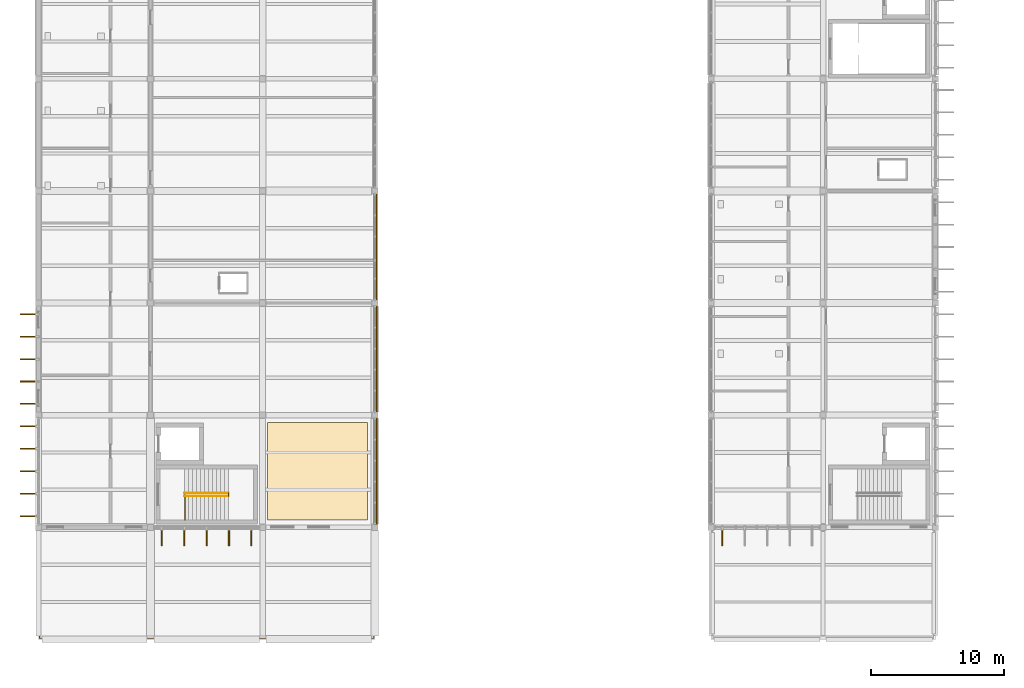
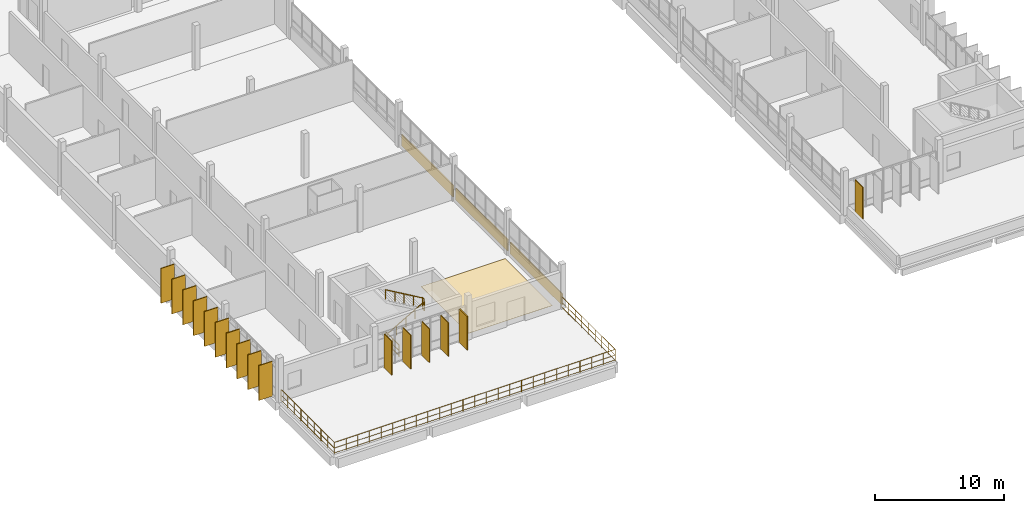
# One storey, part 58 of 62: 16 shading devices, 5 railings, 4 coverings.
"""IFC4 building model written with IfcOpenShell, lengths in metres."""

from ifc_helpers import new_model, si_unit, direction, frame, origin, origin_2d, place, context, subcontext, project, spatial, polyline, rectangle, circle, outline, extrude, material, layer, layer_set, material_profile, profile_set, type_object, element, save


model = new_model("IFC4")

# Units and contexts
model_context = context("Model", 3, precision=1e-05, world=origin(), true_north=direction((0.0, 1.0)))
body_context = subcontext(model_context, "Body", "Model", "MODEL_VIEW")
ifc_project = project(units=[si_unit("LENGTHUNIT", "METRE"), si_unit("AREAUNIT", "SQUARE_METRE"), si_unit("VOLUMEUNIT", "CUBIC_METRE"), si_unit("PLANEANGLEUNIT", "RADIAN"), si_unit("MASSUNIT", "GRAM", prefix="KILO")], contexts=[model_context])

# Site, building, storey
site_placement = place(None, origin())
site = spatial("IfcSite", under=ifc_project, at=site_placement, CompositionType="ELEMENT")
building_placement = place(site_placement, origin())
building = spatial("IfcBuilding", under=site, at=building_placement, Name="Vireocrest Preparatory School", CompositionType="ELEMENT")
storey_placement = place(building_placement, frame((0.0, 0.0, 17.39990234375)))
storey = spatial("IfcBuildingStorey", under=building, at=storey_placement, Name="L04", CompositionType="ELEMENT", Elevation=17.39990234375)

# Railings
ifc_material_1 = material(Name="Brushed stainless steel AISI 316", Category="steel")
railing_type_1 = type_object("IfcRailingType", Name="Post-and-Rail Guard Balustrade 1120", PredefinedType="BALUSTRADE", material=ifc_material_1)
railing_1_placement = place(storey_placement, frame((42.080078125, 43.719970703125, 0.0)))
element("IfcRailing", 1, at=railing_1_placement, inside=storey, type_object=railing_type_1, Name="Terrace and Deck Guard Balustrade GR1 L04 WEST_L04_TERR", PredefinedType="BALUSTRADE", context=body_context, shape_type="SweptSolid", body=[
    extrude(circle(Radius=0.02392578125, at=origin_2d()), frame((0.0, 0.0, 1.09619140625), z_axis=(0.0, -1.0, 0.0), x_axis=(1.0, 0.0, 0.0)), (0.0, 0.0, 1.0), 8.239990234375),
    extrude(circle(Radius=0.01806640625, at=origin_2d()), frame((0.0, 0.0, 0.56005859375), z_axis=(0.0, -1.0, 0.0), x_axis=(1.0, 0.0, 0.0)), (0.0, 0.0, 1.0), 8.239990234375),
    extrude(circle(Radius=0.01806640625, at=origin_2d()), frame((0.0, 0.0, 0.10009765625), z_axis=(0.0, -1.0, 0.0), x_axis=(1.0, 0.0, 0.0)), (0.0, 0.0, 1.0), 8.239990234375),
    extrude(circle(Radius=0.02392578125, at=origin_2d()), frame((0.0, -8.239990234375, 1.09619140625), z_axis=(1.0, 0.0, 0.0), x_axis=(0.0, 1.0, 0.0)), (0.0, 0.0, 1.0), 25.0400390625),
    extrude(circle(Radius=0.01806640625, at=origin_2d()), frame((0.0, -8.239990234375, 0.56005859375), z_axis=(1.0, 0.0, 0.0), x_axis=(0.0, 1.0, 0.0)), (0.0, 0.0, 1.0), 25.0400390625),
    extrude(circle(Radius=0.01806640625, at=origin_2d()), frame((0.0, -8.239990234375, 0.10009765625), z_axis=(1.0, 0.0, 0.0), x_axis=(0.0, 1.0, 0.0)), (0.0, 0.0, 1.0), 25.0400390625),
    extrude(circle(Radius=0.02392578125, at=origin_2d()), frame((25.0400390625, -8.239990234375, 1.09619140625), z_axis=(0.0, 1.0, 0.0), x_axis=(-1.0, 0.0, 0.0)), (0.0, 0.0, 1.0), 8.239990234375),
    extrude(circle(Radius=0.01806640625, at=origin_2d()), frame((25.0400390625, -8.239990234375, 0.56005859375), z_axis=(0.0, 1.0, 0.0), x_axis=(-1.0, 0.0, 0.0)), (0.0, 0.0, 1.0), 8.239990234375),
    extrude(circle(Radius=0.01806640625, at=origin_2d()), frame((25.0400390625, -8.239990234375, 0.10009765625), z_axis=(0.0, 1.0, 0.0), x_axis=(-1.0, 0.0, 0.0)), (0.0, 0.0, 1.0), 8.239990234375),
    extrude(circle(Radius=0.02099609375, at=origin_2d()), origin(), (0.0, 0.0, 1.0), 1.072021484375),
    extrude(circle(Radius=0.02099609375, at=origin_2d()), frame((0.0, -1.030029296875, 0.0)), (0.0, 0.0, 1.0), 1.072021484375),
    extrude(circle(Radius=0.02099609375, at=origin_2d()), frame((0.0, -2.06005859375, 0.0)), (0.0, 0.0, 1.0), 1.072021484375),
    extrude(circle(Radius=0.02099609375, at=origin_2d()), frame((0.0, -3.090087890625, 0.0)), (0.0, 0.0, 1.0), 1.072021484375),
    extrude(circle(Radius=0.02099609375, at=origin_2d()), frame((0.0, -4.1201171875, 0.0)), (0.0, 0.0, 1.0), 1.072021484375),
    extrude(circle(Radius=0.02099609375, at=origin_2d()), frame((0.0, -5.14990234375, 0.0)), (0.0, 0.0, 1.0), 1.072021484375),
    extrude(circle(Radius=0.02099609375, at=origin_2d()), frame((0.0, -6.179931640625, 0.0)), (0.0, 0.0, 1.0), 1.072021484375),
    extrude(circle(Radius=0.02099609375, at=origin_2d()), frame((0.0, -7.2099609375, 0.0)), (0.0, 0.0, 1.0), 1.072021484375),
    extrude(circle(Radius=0.02099609375, at=origin_2d()), frame((0.0, -8.239990234375, 0.0)), (0.0, 0.0, 1.0), 1.072021484375),
    extrude(circle(Radius=0.02099609375, at=origin_2d()), frame((1.04345703125, -8.239990234375, 0.0)), (0.0, 0.0, 1.0), 1.072021484375),
    extrude(circle(Radius=0.02099609375, at=origin_2d()), frame((2.086669921875, -8.239990234375, 0.0)), (0.0, 0.0, 1.0), 1.072021484375),
    extrude(circle(Radius=0.02099609375, at=origin_2d()), frame((3.1298828125, -8.239990234375, 0.0)), (0.0, 0.0, 1.0), 1.072021484375),
    extrude(circle(Radius=0.02099609375, at=origin_2d()), frame((4.17333984375, -8.239990234375, 0.0)), (0.0, 0.0, 1.0), 1.072021484375),
    extrude(circle(Radius=0.02099609375, at=origin_2d()), frame((5.216796875, -8.239990234375, 0.0)), (0.0, 0.0, 1.0), 1.072021484375),
    extrude(circle(Radius=0.02099609375, at=origin_2d()), frame((6.260009765625, -8.239990234375, 0.0)), (0.0, 0.0, 1.0), 1.072021484375),
    extrude(circle(Radius=0.02099609375, at=origin_2d()), frame((7.303466796875, -8.239990234375, 0.0)), (0.0, 0.0, 1.0), 1.072021484375),
    extrude(circle(Radius=0.02099609375, at=origin_2d()), frame((8.3466796875, -8.239990234375, 0.0)), (0.0, 0.0, 1.0), 1.072021484375),
    extrude(circle(Radius=0.02099609375, at=origin_2d()), frame((9.39013671875, -8.239990234375, 0.0)), (0.0, 0.0, 1.0), 1.072021484375),
    extrude(circle(Radius=0.02099609375, at=origin_2d()), frame((10.433349609375, -8.239990234375, 0.0)), (0.0, 0.0, 1.0), 1.072021484375),
    extrude(circle(Radius=0.02099609375, at=origin_2d()), frame((11.4765625, -8.239990234375, 0.0)), (0.0, 0.0, 1.0), 1.072021484375),
    extrude(circle(Radius=0.02099609375, at=origin_2d()), frame((12.52001953125, -8.239990234375, 0.0)), (0.0, 0.0, 1.0), 1.072021484375),
    extrude(circle(Radius=0.02099609375, at=origin_2d()), frame((13.563232421875, -8.239990234375, 0.0)), (0.0, 0.0, 1.0), 1.072021484375),
    extrude(circle(Radius=0.02099609375, at=origin_2d()), frame((14.606689453125, -8.239990234375, 0.0)), (0.0, 0.0, 1.0), 1.072021484375),
    extrude(circle(Radius=0.02099609375, at=origin_2d()), frame((15.64990234375, -8.239990234375, 0.0)), (0.0, 0.0, 1.0), 1.072021484375),
    extrude(circle(Radius=0.02099609375, at=origin_2d()), frame((16.693359375, -8.239990234375, 0.0)), (0.0, 0.0, 1.0), 1.072021484375),
    extrude(circle(Radius=0.02099609375, at=origin_2d()), frame((17.73681640625, -8.239990234375, 0.0)), (0.0, 0.0, 1.0), 1.072021484375),
    extrude(circle(Radius=0.02099609375, at=origin_2d()), frame((18.780029296875, -8.239990234375, 0.0)), (0.0, 0.0, 1.0), 1.072021484375),
    extrude(circle(Radius=0.02099609375, at=origin_2d()), frame((19.8232421875, -8.239990234375, 0.0)), (0.0, 0.0, 1.0), 1.072021484375),
    extrude(circle(Radius=0.02099609375, at=origin_2d()), frame((20.86669921875, -8.239990234375, 0.0)), (0.0, 0.0, 1.0), 1.072021484375),
    extrude(circle(Radius=0.02099609375, at=origin_2d()), frame((21.91015625, -8.239990234375, 0.0)), (0.0, 0.0, 1.0), 1.072021484375),
    extrude(circle(Radius=0.02099609375, at=origin_2d()), frame((22.953369140625, -8.239990234375, 0.0)), (0.0, 0.0, 1.0), 1.072021484375),
    extrude(circle(Radius=0.02099609375, at=origin_2d()), frame((23.99658203125, -8.239990234375, 0.0)), (0.0, 0.0, 1.0), 1.072021484375),
    extrude(circle(Radius=0.02099609375, at=origin_2d()), frame((25.0400390625, -8.239990234375, 0.0)), (0.0, 0.0, 1.0), 1.072021484375),
    extrude(circle(Radius=0.02099609375, at=origin_2d()), frame((25.0400390625, -7.2099609375, 0.0)), (0.0, 0.0, 1.0), 1.072021484375),
    extrude(circle(Radius=0.02099609375, at=origin_2d()), frame((25.0400390625, -6.179931640625, 0.0)), (0.0, 0.0, 1.0), 1.072021484375),
    extrude(circle(Radius=0.02099609375, at=origin_2d()), frame((25.0400390625, -5.14990234375, 0.0)), (0.0, 0.0, 1.0), 1.072021484375),
    extrude(circle(Radius=0.02099609375, at=origin_2d()), frame((25.0400390625, -4.1201171875, 0.0)), (0.0, 0.0, 1.0), 1.072021484375),
    extrude(circle(Radius=0.02099609375, at=origin_2d()), frame((25.0400390625, -3.090087890625, 0.0)), (0.0, 0.0, 1.0), 1.072021484375),
    extrude(circle(Radius=0.02099609375, at=origin_2d()), frame((25.0400390625, -2.06005859375, 0.0)), (0.0, 0.0, 1.0), 1.072021484375),
    extrude(circle(Radius=0.02099609375, at=origin_2d()), frame((25.0400390625, -1.030029296875, 0.0)), (0.0, 0.0, 1.0), 1.072021484375),
    extrude(circle(Radius=0.02099609375, at=origin_2d()), frame((25.0400390625, 0.0, 0.0)), (0.0, 0.0, 1.0), 1.072021484375),
])
railing_2_placement = place(storey_placement, frame((52.969970703125, 44.35009765625, 0.0)))
element("IfcRailing", 2, at=railing_2_placement, inside=storey, type_object=railing_type_1, Name="Arrival Landing Guard ST1-L03", PredefinedType="BALUSTRADE", context=body_context, shape_type="SweptSolid", body=[
    extrude(circle(Radius=0.02392578125, at=origin_2d()), frame((0.0, 0.0, 1.09619140625), z_axis=(0.0, 1.0, 0.0), x_axis=(-1.0, 0.0, 0.0)), (0.0, 0.0, 1.0), 2.02001953125),
    extrude(circle(Radius=0.01806640625, at=origin_2d()), frame((0.0, 0.0, 0.56005859375), z_axis=(0.0, 1.0, 0.0), x_axis=(-1.0, 0.0, 0.0)), (0.0, 0.0, 1.0), 2.02001953125),
    extrude(circle(Radius=0.01806640625, at=origin_2d()), frame((0.0, 0.0, 0.10009765625), z_axis=(0.0, 1.0, 0.0), x_axis=(-1.0, 0.0, 0.0)), (0.0, 0.0, 1.0), 2.02001953125),
    extrude(circle(Radius=0.02099609375, at=origin_2d()), origin(), (0.0, 0.0, 1.0), 1.072021484375),
    extrude(circle(Radius=0.02099609375, at=origin_2d()), frame((0.0, 1.010009765625, 0.0)), (0.0, 0.0, 1.0), 1.072021484375),
    extrude(circle(Radius=0.02099609375, at=origin_2d()), frame((0.0, 2.02001953125, 0.0)), (0.0, 0.0, 1.0), 1.072021484375),
])
railing_3_placement = place(storey_placement, frame((56.22998046875, 46.1298828125, 2.10009765625)))
element("IfcRailing", 3, at=railing_3_placement, inside=storey, type_object=railing_type_1, Name="Half-Landing Well Guard ST1-L04", PredefinedType="BALUSTRADE", context=body_context, shape_type="SweptSolid", body=[
    extrude(circle(Radius=0.02392578125, at=origin_2d()), frame((0.0, 0.0, 1.09619140625), z_axis=(0.0, 1.0, 0.0), x_axis=(-1.0, 0.0, 0.0)), (0.0, 0.0, 1.0), 0.240234375),
    extrude(circle(Radius=0.01806640625, at=origin_2d()), frame((0.0, 0.0, 0.56005859375), z_axis=(0.0, 1.0, 0.0), x_axis=(-1.0, 0.0, 0.0)), (0.0, 0.0, 1.0), 0.240234375),
    extrude(circle(Radius=0.01806640625, at=origin_2d()), frame((0.0, 0.0, 0.10009765625), z_axis=(0.0, 1.0, 0.0), x_axis=(-1.0, 0.0, 0.0)), (0.0, 0.0, 1.0), 0.240234375),
    extrude(circle(Radius=0.02099609375, at=origin_2d()), origin(), (0.0, 0.0, 1.0), 1.072021484375),
    extrude(circle(Radius=0.02099609375, at=origin_2d()), frame((0.0, 0.240234375, 0.0)), (0.0, 0.0, 1.0), 1.072021484375),
])
railing_type_2 = type_object("IfcRailingType", Name="Stair Pitch Handrail 900", PredefinedType="HANDRAIL", material=ifc_material_1)
railing_4_placement = place(storey_placement, frame((52.949951171875, 46.1298828125, 0.175048828125)))
element("IfcRailing", 4, at=railing_4_placement, inside=storey, type_object=railing_type_2, Name="Stair Handrail ST1-L04-HR1", PredefinedType="HANDRAIL", context=body_context, shape_type="SweptSolid", body=[
    extrude(circle(Radius=0.02392578125, at=origin_2d()), frame((0.0, 0.0, 0.8759765625), z_axis=(0.863776583165, 0.0, 0.503874998761), x_axis=(0.0, 1.0, 0.0)), (0.0, 0.0, 1.0), 3.820556640625),
    extrude(circle(Radius=0.02099609375, at=origin_2d()), origin(), (0.0, 0.0, 1.0), 0.851806640625),
    extrude(circle(Radius=0.02099609375, at=origin_2d()), frame((0.824951171875, 0.0, 0.481201171875)), (0.0, 0.0, 1.0), 0.851806640625),
    extrude(circle(Radius=0.02099609375, at=origin_2d()), frame((1.64990234375, 0.0, 0.96240234375)), (0.0, 0.0, 1.0), 0.851806640625),
    extrude(circle(Radius=0.02099609375, at=origin_2d()), frame((2.47509765625, 0.0, 1.44384765625)), (0.0, 0.0, 1.0), 0.851806640625),
    extrude(circle(Radius=0.02099609375, at=origin_2d()), frame((3.300048828125, 0.0, 1.925048828125)), (0.0, 0.0, 1.0), 0.851806640625),
])
railing_5_placement = place(storey_placement, frame((56.25, 46.3701171875, 2.275146484375)))
element("IfcRailing", 5, at=railing_5_placement, inside=storey, type_object=railing_type_2, Name="Stair Handrail ST1-L04-HR2", PredefinedType="HANDRAIL", context=body_context, shape_type="SweptSolid", body=[
    extrude(circle(Radius=0.02392578125, at=origin_2d()), frame((0.0, 0.0, 0.8759765625), z_axis=(-0.863776583165, 0.0, 0.503874998761), x_axis=(0.0, -1.0, 0.0)), (0.0, 0.0, 1.0), 3.820556640625),
    extrude(circle(Radius=0.02099609375, at=origin_2d()), origin(), (0.0, 0.0, 1.0), 0.851806640625),
    extrude(circle(Radius=0.02099609375, at=origin_2d()), frame((-0.824951171875, 0.0, 0.481201171875)), (0.0, 0.0, 1.0), 0.851806640625),
    extrude(circle(Radius=0.02099609375, at=origin_2d()), frame((-1.64990234375, 0.0, 0.96240234375)), (0.0, 0.0, 1.0), 0.851806640625),
    extrude(circle(Radius=0.02099609375, at=origin_2d()), frame((-2.47509765625, 0.0, 1.44384765625)), (0.0, 0.0, 1.0), 0.851806640625),
    extrude(circle(Radius=0.02099609375, at=origin_2d()), frame((-3.300048828125, 0.0, 1.925048828125)), (0.0, 0.0, 1.0), 0.851806640625),
])

# Covering
ifc_material_2 = material(Name="Polished epoxy terrazzo flooring")
ifc_layer_1 = layer(ifc_material_2, 0.02001953125)
ifc_layer_set_1 = layer_set([ifc_layer_1], Name="Polished epoxy terrazzo flooring")
covering_type_1 = type_object("IfcCoveringType", Name="Terrazzo Concourse Flooring", PredefinedType="FLOORING", material=ifc_layer_set_1)
covering_placement = place(storey_placement, origin())
element("IfcCovering", 6, at=covering_placement, inside=storey, type_object=covering_type_1, Name="Flooring FL1 L04-TF01", PredefinedType="FLOORING", context=body_context, shape_type="SweptSolid", body=[
    extrude(outline(polyline([(59.14990234375, 44.35009765625), (66.64990234375, 44.35009765625), (66.64990234375, 51.64990234375), (59.14990234375, 51.64990234375), (59.14990234375, 44.35009765625)])), origin(), (0.0, 0.0, 1.0), 0.02001953125),
])

# Shading devices
ifc_material_3 = material(Name="Warm anodised aluminium EN AW-6063-T6", Category="aluminium")
ifc_material_profile = material_profile(ifc_material_3, rectangle(XDim=0.080078125, YDim=1.199951171875, at=origin_2d()), Name="FIN 80x1200")
ifc_profile_set = profile_set([ifc_material_profile], Name="Warm anodised aluminium EN AW-6063-T6")
shading_device_type = type_object("IfcShadingDeviceType", Name="Vertical Anodised Aluminium Solar Fin 1200", PredefinedType="USERDEFINED", material=ifc_profile_set)
for number, where, z_axis, x_axis, name in (
    (7, (41.219970703125, 44.639892578125, 0.02001953125), (0.0, 0.0, 1.0), (0.0, 1.0, 0.0), "Vertical Solar Fin FN1 L04-53-1"),
    (8, (41.219970703125, 46.320068359375, 0.02001953125), (0.0, 0.0, 1.0), (0.0, 1.0, 0.0), "Vertical Solar Fin FN1 L04-53-2"),
    (9, (41.219970703125, 48.0, 0.02001953125), (0.0, 0.0, 1.0), (0.0, 1.0, 0.0), "Vertical Solar Fin FN1 L04-53-3"),
    (10, (41.219970703125, 49.679931640625, 0.02001953125), (0.0, 0.0, 1.0), (0.0, 1.0, 0.0), "Vertical Solar Fin FN1 L04-53-4"),
    (11, (41.219970703125, 51.360107421875, 0.02001953125), (0.0, 0.0, 1.0), (0.0, 1.0, 0.0), "Vertical Solar Fin FN1 L04-53-5"),
    (12, (41.219970703125, 53.0400390625, 0.02001953125), (0.0, 0.0, 1.0), (0.0, 1.0, 0.0), "Vertical Solar Fin FN1 L04-54-1"),
    (13, (41.219970703125, 54.719970703125, 0.02001953125), (0.0, 0.0, 1.0), (0.0, 1.0, 0.0), "Vertical Solar Fin FN1 L04-54-2"),
    (14, (41.219970703125, 56.39990234375, 0.02001953125), (0.0, 0.0, 1.0), (0.0, 1.0, 0.0), "Vertical Solar Fin FN1 L04-54-3"),
    (15, (41.219970703125, 58.080078125, 0.02001953125), (0.0, 0.0, 1.0), (0.0, 1.0, 0.0), "Vertical Solar Fin FN1 L04-54-4"),
    (16, (41.219970703125, 59.760009765625, 0.02001953125), (0.0, 0.0, 1.0), (0.0, 1.0, 0.0), "Vertical Solar Fin FN1 L04-54-5"),
):
    element("IfcShadingDevice", number, at=place(storey_placement, frame(where, z_axis=z_axis, x_axis=x_axis)), inside=storey, type_object=shading_device_type, Name=name, ObjectType="FIN", PredefinedType="USERDEFINED", context=body_context, shape_type="SweptSolid", body=[
        extrude(rectangle(XDim=0.080078125, YDim=1.199951171875, at=origin_2d()), origin(), (0.0, 0.0, 1.0), 3.280029296875),
    ])
for number, where, z_axis, x_axis, name in (
    (17, (51.239990234375, 43.02001953125, 0.02001953125), (0.0, 0.0, 1.0), (-1.0, 0.0, 0.0), "Vertical Solar Fin FN1 L04-55-1"),
    (18, (52.919921875, 43.02001953125, 0.02001953125), (0.0, 0.0, 1.0), (-1.0, 0.0, 0.0), "Vertical Solar Fin FN1 L04-55-2"),
    (19, (54.60009765625, 43.02001953125, 0.02001953125), (0.0, 0.0, 1.0), (-1.0, 0.0, 0.0), "Vertical Solar Fin FN1 L04-55-3"),
    (20, (56.280029296875, 43.02001953125, 0.02001953125), (0.0, 0.0, 1.0), (-1.0, 0.0, 0.0), "Vertical Solar Fin FN1 L04-55-4"),
    (21, (57.9599609375, 43.02001953125, 0.02001953125), (0.0, 0.0, 1.0), (-1.0, 0.0, 0.0), "Vertical Solar Fin FN1 L04-55-5"),
):
    element("IfcShadingDevice", number, at=place(storey_placement, frame(where, z_axis=z_axis, x_axis=x_axis)), inside=storey, type_object=shading_device_type, Name=name, ObjectType="FIN", PredefinedType="USERDEFINED", context=body_context, shape_type="SweptSolid", body=[
        extrude(rectangle(XDim=0.080078125, YDim=1.199951171875, at=origin_2d()), origin(), (0.0, 0.0, 1.0), 3.18017578125),
    ])
shading_device_placement = place(storey_placement, frame((93.239990234375, 43.02001953125, 0.02001953125), z_axis=(0.0, 0.0, 1.0), x_axis=(-1.0, 0.0, 0.0)))
element("IfcShadingDevice", 22, at=shading_device_placement, inside=storey, type_object=shading_device_type, Name="Vertical Solar Fin FN1 L04-56-1", ObjectType="FIN", PredefinedType="USERDEFINED", context=body_context, shape_type="SweptSolid", body=[
    extrude(rectangle(XDim=0.080078125, YDim=1.199951171875, at=origin_2d()), origin(), (0.0, 0.0, 1.0), 3.02001953125),
])

# Coverings
ifc_material_4 = material(Name="Painted white aluminium cladding EN AW-6063-T6", Category="aluminium")
ifc_layer_2 = layer(ifc_material_4, 0.044921875)
ifc_layer_set_2 = layer_set([ifc_layer_2], Name="Painted white aluminium cladding EN AW-6063-T6")
covering_type_2 = type_object("IfcCoveringType", Name="White High-Tech Horizontal Spandrel Cladding Band", PredefinedType="CLADDING", material=ifc_layer_set_2)
for number, where, z_axis, x_axis, name in (
    (23, (67.3349609375, 48.0, 0.030029296875), (0.0, 0.0, 1.0), (1.0, 0.0, 0.0), "White Court Spandrel Band L04-0376"),
    (24, (67.3349609375, 56.39990234375, 0.030029296875), (0.0, 0.0, 1.0), (1.0, 0.0, 0.0), "White Court Spandrel Band L04-0377"),
    (25, (67.3349609375, 64.800048828125, 0.030029296875), (0.0, 0.0, 1.0), (1.0, 0.0, 0.0), "White Court Spandrel Band L04-0378"),
):
    element("IfcCovering", number, at=place(storey_placement, frame(where, z_axis=z_axis, x_axis=x_axis)), inside=storey, type_object=covering_type_2, Name=name, PredefinedType="CLADDING", context=body_context, shape_type="SweptSolid", body=[
        extrude(rectangle(XDim=0.0849609375, YDim=8.0, at=origin_2d()), origin(), (0.0, 0.0, 1.0), 1.10009765625),
    ])

save(model, "model.ifc")
